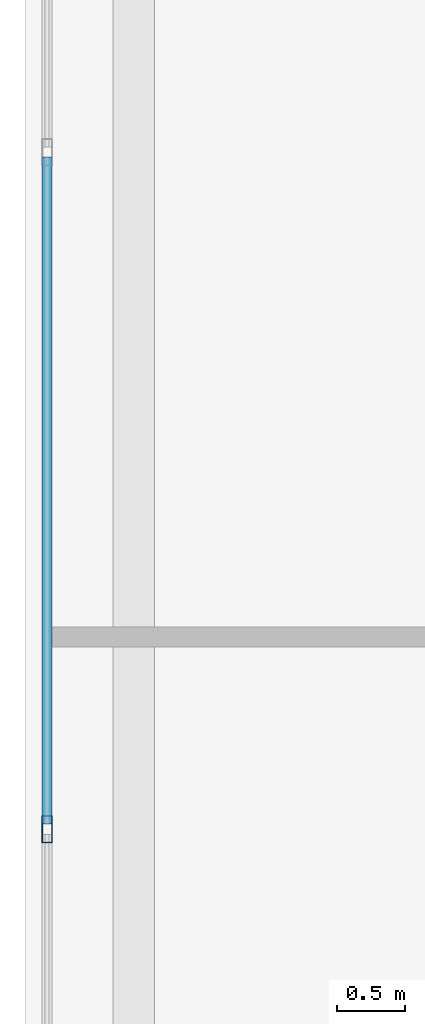
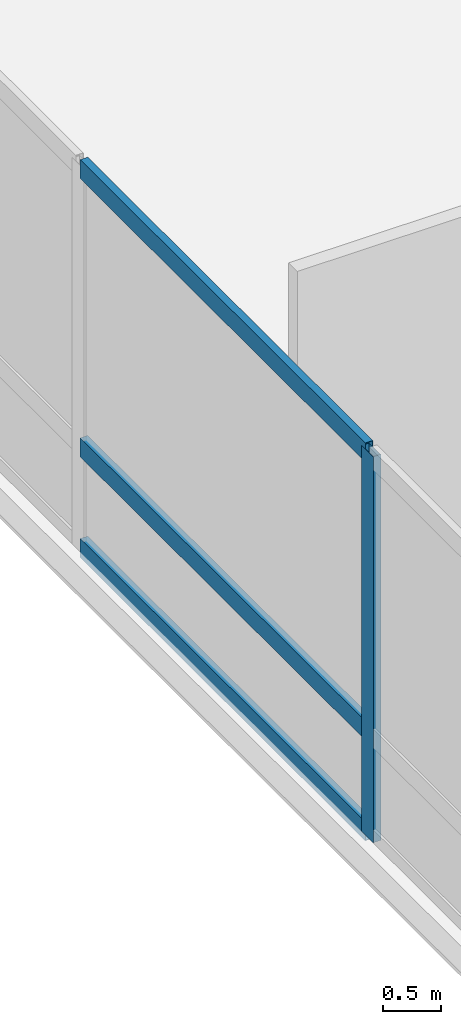
# One storey, part 8 of 36: 4 members, 1 element without a shape of its own.
"""IFC4 building model written with IfcOpenShell, lengths in metres."""

from ifc_helpers import new_model, si_unit, direction, frame, origin, origin_2d, place, context, subcontext, project, spatial, hollow_rectangle, extrude, material, layer, layer_set, material_profile, profile_set, type_object, element, aggregate, save


model = new_model("IFC4")

# Units and contexts
model_context = context("Model", 3, precision=1e-05, world=origin(), true_north=direction((0.0, 1.0)))
body_context = subcontext(model_context, "Body", "Model", "MODEL_VIEW")
ifc_project = project(units=[si_unit("LENGTHUNIT", "METRE"), si_unit("AREAUNIT", "SQUARE_METRE"), si_unit("VOLUMEUNIT", "CUBIC_METRE"), si_unit("PLANEANGLEUNIT", "RADIAN"), si_unit("MASSUNIT", "GRAM", prefix="KILO")], contexts=[model_context])

# Site, building, storey
site_placement = place(None, origin())
site = spatial("IfcSite", under=ifc_project, at=site_placement, CompositionType="ELEMENT")
building_placement = place(site_placement, origin())
building = spatial("IfcBuilding", under=site, at=building_placement, Name="Varnelok Gate Tower", CompositionType="ELEMENT")
storey_placement = place(building_placement, frame((0.0, 0.0, 10.800048828125)))
storey = spatial("IfcBuildingStorey", under=building, at=storey_placement, Name="L02", CompositionType="ELEMENT", Elevation=10.800048828125)

# Curtain wall, members
ifc_material = material(Name="Anodized Aluminum Alloy 6063-T6", Category="aluminium")
ifc_layer = layer(ifc_material, 0.179931640625)
ifc_layer_set = layer_set([ifc_layer], Name="Anodized Aluminum Alloy 6063-T6")
curtain_wall_type = type_object("IfcCurtainWallType", Name="CW1-ARCH-PORTAL", PredefinedType="USERDEFINED", material=ifc_layer_set)
curtain_wall_placement = place(storey_placement, origin())
curtain_wall = element("IfcCurtainWall", 1, at=curtain_wall_placement, inside=storey, type_object=curtain_wall_type, Name="L02 Podium Portal Curtain Wall W", ObjectType="UNITISED CURTAIN WALL", PredefinedType="USERDEFINED")
ifc_material_profile_1 = material_profile(ifc_material, hollow_rectangle(XDim=0.074951171875, YDim=0.199951171875, WallThickness=0.00390625, at=origin_2d()), Name="ALU200X75X4")
ifc_profile_set_1 = profile_set([ifc_material_profile_1], Name="Anodized Aluminum Alloy 6063-T6")
member_type_1 = type_object("IfcMemberType", Name="CW-MULL-200", PredefinedType="MULLION", material=ifc_profile_set_1)
member_1_placement = place(storey_placement, frame((0.159912109375, 25.199951171875, 0.0), z_axis=(0.0, 0.0, 1.0), x_axis=(-1.0, 0.0, 0.0)))
member_1 = element("IfcMember", 2, at=member_1_placement, type_object=member_type_1, Name="CW1 mullion 3", PredefinedType="MULLION", context=body_context, shape_type="SweptSolid", body=[
    extrude(hollow_rectangle(XDim=0.074951171875, YDim=0.199951171875, WallThickness=0.00390625, at=origin_2d()), origin(), (0.0, 0.0, 1.0), 4.070068359375),
])
ifc_material_profile_2 = material_profile(ifc_material, hollow_rectangle(XDim=0.074951171875, YDim=0.199951171875, WallThickness=0.00390625, at=origin_2d()), Name="ALU200X75X4")
ifc_profile_set_2 = profile_set([ifc_material_profile_2], Name="Anodized Aluminum Alloy 6063-T6")
member_type_2 = type_object("IfcMemberType", Name="CW-TRAN-200", PredefinedType="USERDEFINED", material=ifc_profile_set_2)
member_2_placement = place(storey_placement, frame((0.159912109375, 25.237548828125, 0.037353515625), z_axis=(0.0, 1.0, 0.0), x_axis=(-1.0, 0.0, 0.0)))
member_2 = element("IfcMember", 3, at=member_2_placement, type_object=member_type_2, Name="CW1 transom 3.1", ObjectType="TRANSOM", PredefinedType="USERDEFINED", context=body_context, shape_type="SweptSolid", body=[
    extrude(hollow_rectangle(XDim=0.074951171875, YDim=0.199951171875, WallThickness=0.00390625, at=origin_2d()), origin(), (0.0, 0.0, 1.0), 4.925048828125),
])
member_3_placement = place(storey_placement, frame((0.159912109375, 25.237548828125, 1.099853515625), z_axis=(0.0, 1.0, 0.0), x_axis=(-1.0, 0.0, 0.0)))
member_3 = element("IfcMember", 4, at=member_3_placement, type_object=member_type_2, Name="CW1 transom 3.2", ObjectType="TRANSOM", PredefinedType="USERDEFINED", context=body_context, shape_type="SweptSolid", body=[
    extrude(hollow_rectangle(XDim=0.074951171875, YDim=0.199951171875, WallThickness=0.00390625, at=origin_2d()), origin(), (0.0, 0.0, 1.0), 4.925048828125),
])
member_4_placement = place(storey_placement, frame((0.159912109375, 25.237548828125, 4.032470703125), z_axis=(0.0, 1.0, 0.0), x_axis=(-1.0, 0.0, 0.0)))
member_4 = element("IfcMember", 5, at=member_4_placement, type_object=member_type_2, Name="CW1 transom 3.3", ObjectType="TRANSOM", PredefinedType="USERDEFINED", context=body_context, shape_type="SweptSolid", body=[
    extrude(hollow_rectangle(XDim=0.074951171875, YDim=0.199951171875, WallThickness=0.00390625, at=origin_2d()), origin(), (0.0, 0.0, 1.0), 4.925048828125),
])
aggregate(curtain_wall, [member_1, member_2, member_3, member_4])

save(model, "model.ifc")
